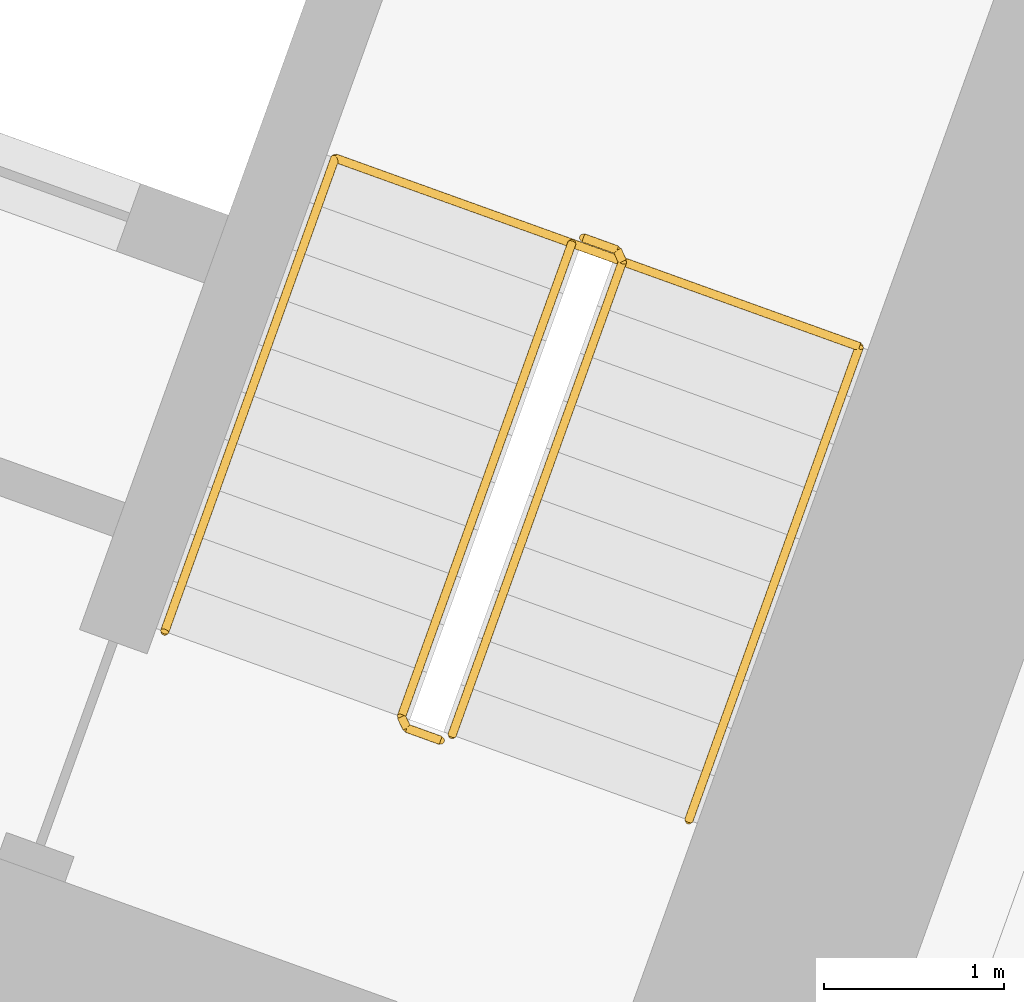
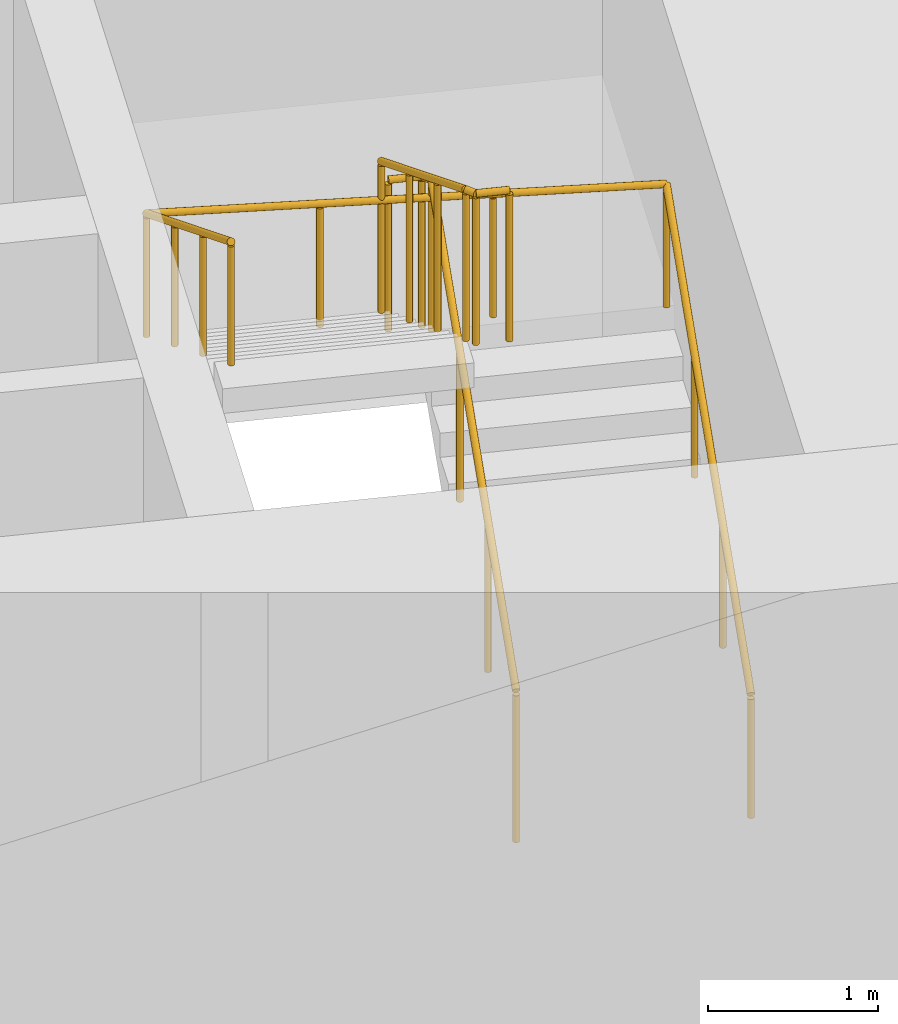
# One storey, part 21 of 21: 3 railings.
"""IFC4 building model written with IfcOpenShell, lengths in metres."""

from ifc_helpers import new_model, si_unit, direction, frame, origin, origin_2d, place, context, subcontext, project, spatial, circle, extrude, material, type_object, element, save


model = new_model("IFC4")

# Units and contexts
model_context = context("Model", 3, precision=1e-05, world=origin(), true_north=direction((0.0, 1.0)))
body_context = subcontext(model_context, "Body", "Model", "MODEL_VIEW")
ifc_project = project(units=[si_unit("LENGTHUNIT", "METRE"), si_unit("AREAUNIT", "SQUARE_METRE"), si_unit("VOLUMEUNIT", "CUBIC_METRE"), si_unit("PLANEANGLEUNIT", "RADIAN"), si_unit("MASSUNIT", "GRAM", prefix="KILO")], contexts=[model_context])

# Site, building, storey
site_placement = place(None, origin())
site = spatial("IfcSite", under=ifc_project, at=site_placement, CompositionType="ELEMENT")
building_placement = place(site_placement, origin())
building = spatial("IfcBuilding", under=site, at=building_placement, Name="Stone Belt Terrace Tower", CompositionType="ELEMENT")
storey_placement = place(building_placement, frame((0.0, 0.0, 163.0)))
storey = spatial("IfcBuildingStorey", under=building, at=storey_placement, Name="L39", CompositionType="ELEMENT", Elevation=163.0)

# Railings
ifc_material = material(Name="Structural steel C345", Category="steel")
railing_type_1 = type_object("IfcRailingType", Name="Stair guard 1100", PredefinedType="GUARDRAIL", material=ifc_material)
railing_1_placement = place(storey_placement, frame((24.494140625, 45.174560546875, 0.172607421875)))
element("IfcRailing", 1, at=railing_1_placement, inside=storey, type_object=railing_type_1, Name="L39 ST1B stair guard 1", PredefinedType="GUARDRAIL", context=body_context, shape_type="SweptSolid", body=[
    extrude(circle(Radius=0.02392578125, at=origin_2d()), frame((0.0, 0.0, 1.076171875), z_axis=(0.288228637646, 0.800791768495, 0.525030280985), x_axis=(-0.940908529223, 0.338660803216, 0.0)), (0.0, 0.0, 1.0), 3.289794921875),
    extrude(circle(Radius=0.02392578125, at=origin_2d()), frame((0.9482421875, 2.634521484375, 2.80322265625), z_axis=(-0.424964916, 0.905209821074, 0.0), x_axis=(-0.905209821074, -0.424964916, 0.0)), (0.0, 0.0, 1.0), 0.070556640625),
    extrude(circle(Radius=0.02392578125, at=origin_2d()), frame((0.918212890625, 2.698486328125, 2.80322265625), z_axis=(-0.941105063269, 0.338114270461, 0.0), x_axis=(-0.338114270461, -0.941105063269, 0.0)), (0.0, 0.0, 1.0), 0.199951171875),
    extrude(circle(Radius=0.02099609375, at=origin_2d()), origin(), (0.0, 0.0, 1.0), 1.052001953125),
    extrude(circle(Radius=0.02099609375, at=origin_2d()), frame((0.316162109375, 0.878173828125, 0.57568359375)), (0.0, 0.0, 1.0), 1.052001953125),
    extrude(circle(Radius=0.02099609375, at=origin_2d()), frame((0.632080078125, 1.75634765625, 1.151611328125)), (0.0, 0.0, 1.0), 1.052001953125),
    extrude(circle(Radius=0.02099609375, at=origin_2d()), frame((0.9482421875, 2.634521484375, 1.727294921875)), (0.0, 0.0, 1.0), 1.052001953125),
    extrude(circle(Radius=0.02099609375, at=origin_2d()), frame((0.918212890625, 2.698486328125, 1.727294921875)), (0.0, 0.0, 1.0), 1.052001953125),
    extrude(circle(Radius=0.02099609375, at=origin_2d()), frame((0.72998046875, 2.76611328125, 1.727294921875)), (0.0, 0.0, 1.0), 1.052001953125),
])
railing_2_placement = place(storey_placement, frame((25.16015625, 47.91064453125, 2.07275390625)))
element("IfcRailing", 2, at=railing_2_placement, inside=storey, type_object=railing_type_1, Name="L39 ST1B stair guard 2", PredefinedType="GUARDRAIL", context=body_context, shape_type="SweptSolid", body=[
    extrude(circle(Radius=0.02392578125, at=origin_2d()), frame((0.0, 0.0, 1.076171875), z_axis=(-0.288228637646, -0.800791768495, 0.525030280985), x_axis=(0.940908529223, -0.338660803216, 0.0)), (0.0, 0.0, 1.0), 3.289794921875),
    extrude(circle(Radius=0.02392578125, at=origin_2d()), frame((-0.9482421875, -2.634521484375, 2.80322265625), z_axis=(0.427789722475, -0.903878284585, 0.0), x_axis=(0.903878284585, 0.427789722475, 0.0)), (0.0, 0.0, 1.0), 0.07080078125),
    extrude(circle(Radius=0.02392578125, at=origin_2d()), frame((-0.91796875, -2.698486328125, 2.80322265625), z_axis=(0.940575576748, -0.339584429008, 0.0), x_axis=(0.339584429008, 0.940575576748, 0.0)), (0.0, 0.0, 1.0), 0.199951171875),
    extrude(circle(Radius=0.02099609375, at=origin_2d()), origin(), (0.0, 0.0, 1.0), 1.052001953125),
    extrude(circle(Radius=0.02099609375, at=origin_2d()), frame((-0.316162109375, -0.878173828125, 0.57568359375)), (0.0, 0.0, 1.0), 1.052001953125),
    extrude(circle(Radius=0.02099609375, at=origin_2d()), frame((-0.632080078125, -1.75634765625, 1.151611328125)), (0.0, 0.0, 1.0), 1.052001953125),
    extrude(circle(Radius=0.02099609375, at=origin_2d()), frame((-0.9482421875, -2.634521484375, 1.727294921875)), (0.0, 0.0, 1.0), 1.052001953125),
    extrude(circle(Radius=0.02099609375, at=origin_2d()), frame((-0.91796875, -2.698486328125, 1.727294921875)), (0.0, 0.0, 1.0), 1.052001953125),
    extrude(circle(Radius=0.02099609375, at=origin_2d()), frame((-0.72998046875, -2.766357421875, 1.727294921875)), (0.0, 0.0, 1.0), 1.052001953125),
])
railing_type_2 = type_object("IfcRailingType", Name="Stair handrail 900", PredefinedType="HANDRAIL", material=ifc_material)
railing_3_placement = place(storey_placement, frame((25.8115234375, 44.700439453125, 0.172607421875)))
element("IfcRailing", 3, at=railing_3_placement, inside=storey, type_object=railing_type_2, Name="L39 ST1B stair handrail 1", PredefinedType="HANDRAIL", context=body_context, shape_type="SweptSolid", body=[
    extrude(circle(Radius=0.02392578125, at=origin_2d()), frame((0.0, 0.0, 0.8759765625), z_axis=(0.288228637646, 0.800791768495, 0.525030280985), x_axis=(-0.940908529223, 0.338660803216, 0.0)), (0.0, 0.0, 1.0), 3.289794921875),
    extrude(circle(Radius=0.02392578125, at=origin_2d()), frame((0.9482421875, 2.634521484375, 2.60302734375), z_axis=(-0.939460408074, 0.338105101667, 0.055669398135), x_axis=(-0.338630230244, -0.940919532779, 0.0)), (0.0, 0.0, 1.0), 3.10498046875),
    extrude(circle(Radius=0.02392578125, at=origin_2d()), frame((-1.96875, 3.684326171875, 2.77587890625), z_axis=(-0.288160591223, -0.800808895155, 0.52504150989), x_axis=(0.940936311087, -0.338583606334, 0.0)), (0.0, 0.0, 1.0), 3.289794921875),
    extrude(circle(Radius=0.02099609375, at=origin_2d()), origin(), (0.0, 0.0, 1.0), 0.851806640625),
    extrude(circle(Radius=0.02099609375, at=origin_2d()), frame((0.316162109375, 0.878173828125, 0.57568359375)), (0.0, 0.0, 1.0), 0.851806640625),
    extrude(circle(Radius=0.02099609375, at=origin_2d()), frame((0.632080078125, 1.75634765625, 1.151611328125)), (0.0, 0.0, 1.0), 0.851806640625),
    extrude(circle(Radius=0.02099609375, at=origin_2d()), frame((0.9482421875, 2.634521484375, 1.727294921875)), (0.0, 0.0, 1.0), 0.851806640625),
    extrude(circle(Radius=0.02099609375, at=origin_2d()), frame((-0.024169921875, 2.984375, 1.784912109375)), (0.0, 0.0, 1.0), 0.851806640625),
    extrude(circle(Radius=0.02099609375, at=origin_2d()), frame((-0.996337890625, 3.33447265625, 1.842529296875)), (0.0, 0.0, 1.0), 0.851806640625),
    extrude(circle(Radius=0.02099609375, at=origin_2d()), frame((-1.96875, 3.684326171875, 1.900146484375)), (0.0, 0.0, 1.0), 0.851806640625),
    extrude(circle(Radius=0.02099609375, at=origin_2d()), frame((-2.28466796875, 2.80615234375, 2.475830078125)), (0.0, 0.0, 1.0), 0.851806640625),
    extrude(circle(Radius=0.02099609375, at=origin_2d()), frame((-2.600830078125, 1.927978515625, 3.0517578125)), (0.0, 0.0, 1.0), 0.851806640625),
    extrude(circle(Radius=0.02099609375, at=origin_2d()), frame((-2.916748046875, 1.0498046875, 3.62744140625)), (0.0, 0.0, 1.0), 0.851806640625),
])

save(model, "model.ifc")
